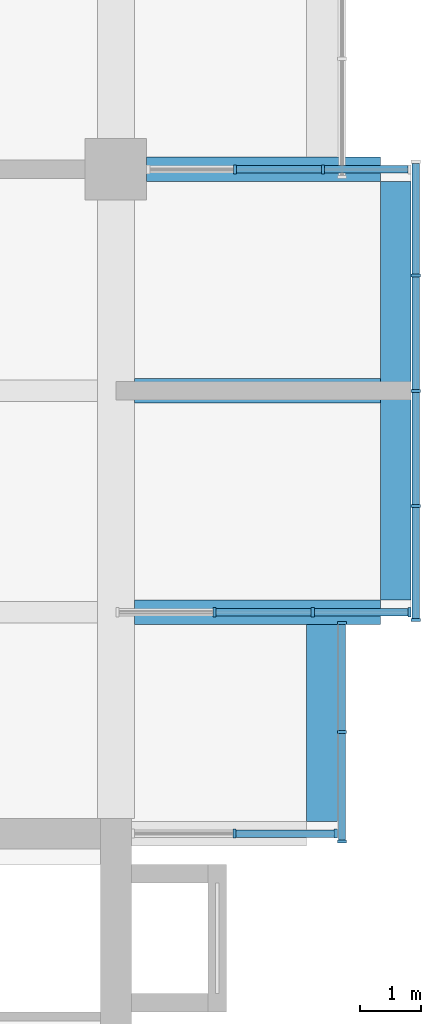
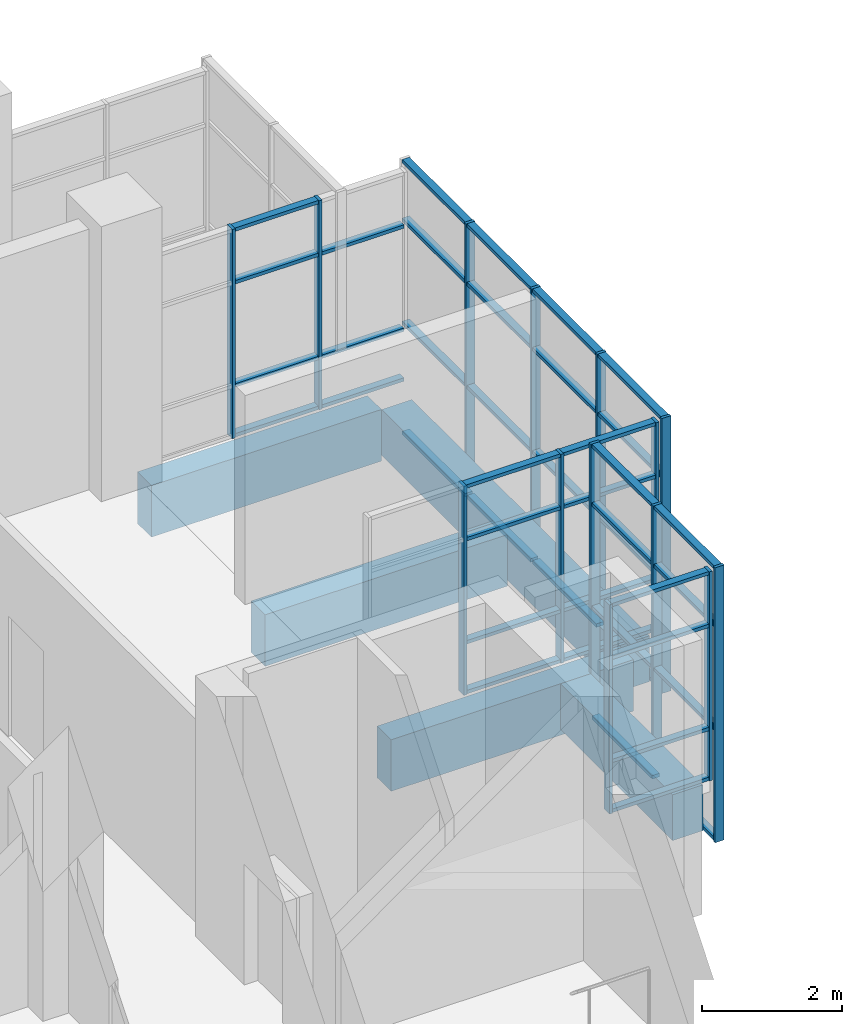
# One storey, part 13 of 30: 57 members, 6 beams, 5 elements without a shape of their own.
"""IFC4 building model written with IfcOpenShell, lengths in metres."""

from ifc_helpers import new_model, si_unit, direction, frame, origin, origin_2d, place, context, subcontext, project, spatial, rectangle, extrude, material, layer, layer_set, material_profile, profile_set, type_object, element, aggregate, save


model = new_model("IFC4")

# Units and contexts
model_context = context("Model", 3, precision=1e-05, world=origin(), true_north=direction((0.0, 1.0)))
body_context = subcontext(model_context, "Body", "Model", "MODEL_VIEW")
ifc_project = project(units=[si_unit("LENGTHUNIT", "METRE"), si_unit("AREAUNIT", "SQUARE_METRE"), si_unit("VOLUMEUNIT", "CUBIC_METRE"), si_unit("PLANEANGLEUNIT", "RADIAN"), si_unit("MASSUNIT", "GRAM", prefix="KILO")], contexts=[model_context])

# Site, building, storey
site_placement = place(None, origin())
site = spatial("IfcSite", under=ifc_project, at=site_placement, CompositionType="ELEMENT")
building_placement = place(site_placement, origin())
building = spatial("IfcBuilding", under=site, at=building_placement, Name="Basin Gate Institute", CompositionType="ELEMENT")
storey_placement = place(building_placement, frame((0.0, 0.0, 36.60009765625)))
storey = spatial("IfcBuildingStorey", under=building, at=storey_placement, Name="L07", CompositionType="ELEMENT", Elevation=36.60009765625)

# Beams
ifc_material_1 = material(Name="Concrete 50 MPa", Category="concrete")
ifc_material_profile_1 = material_profile(ifc_material_1, rectangle(XDim=0.39990234375, YDim=0.89990234375, at=origin_2d()), Name="Cantilever beam B3 400 x 900")
ifc_profile_set_1 = profile_set([ifc_material_profile_1], Name="Concrete 50 MPa")
beam_type_1 = type_object("IfcBeamType", Name="Cantilever beam B3 R120", PredefinedType="BEAM", material=ifc_profile_set_1)
for number, where, z_axis, x_axis, name in (
    (1, (123.10009765625, 49.5, -0.7001953125), (-1.0, 0.0, 0.0), (0.0, -1.0, 0.0), "BEAM/L07/E/CANT/05"),
    (2, (123.10009765625, 53.10009765625, -0.7001953125), (-1.0, 0.0, 0.0), (0.0, -1.0, 0.0), "BEAM/L07/E/CANT/06"),
):
    element("IfcBeam", number, at=place(storey_placement, frame(where, z_axis=z_axis, x_axis=x_axis)), inside=storey, type_object=beam_type_1, material=ifc_profile_set_1, Name=name, PredefinedType="BEAM", context=body_context, shape_type="SweptSolid", body=[
        extrude(rectangle(XDim=0.39990234375, YDim=0.89990234375, at=origin_2d()), origin(), (0.0, 0.0, 1.0), 4.0),
    ])
beam_1_placement = place(storey_placement, frame((123.10009765625, 56.699951171875, -0.7001953125), z_axis=(-1.0, 0.0, 0.0), x_axis=(0.0, -1.0, 0.0)))
element("IfcBeam", 3, at=beam_1_placement, inside=storey, type_object=beam_type_1, material=ifc_profile_set_1, Name="BEAM/L07/E/CANT/07", PredefinedType="BEAM", context=body_context, shape_type="SweptSolid", body=[
    extrude(rectangle(XDim=0.39990234375, YDim=0.89990234375, at=origin_2d()), origin(), (0.0, 0.0, 1.0), 3.800048828125),
])

# Curtain wall, members
ifc_material_2 = material(Name="Aluminium-framed glazing", Category="aluminium")
ifc_layer = layer(ifc_material_2, 0.14990234375)
ifc_layer_set = layer_set([ifc_layer], Name="Capsule front curtain wall CW1")
curtain_wall_type = type_object("IfcCurtainWallType", Name="Capsule front curtain wall CW1", PredefinedType="NOTDEFINED", material=ifc_layer_set)
curtain_wall_1_placement = place(storey_placement, origin())
curtain_wall_1 = element("IfcCurtainWall", 4, at=curtain_wall_1_placement, inside=storey, type_object=curtain_wall_type, material=ifc_layer_set, Name="Capsule front curtain wall E wing capsule end L07 line 4", PredefinedType="NOTDEFINED")
ifc_material_3 = material(Name="Aluminium", Category="aluminium")
ifc_material_profile_2 = material_profile(ifc_material_3, rectangle(XDim=0.14990234375, YDim=0.050048828125, at=origin_2d()), Name="Mullion MU1 150 x 50")
ifc_profile_set_2 = profile_set([ifc_material_profile_2], Name="Aluminium")
member_type_1 = type_object("IfcMemberType", Name="Mullion MU1", PredefinedType="MULLION", material=ifc_profile_set_2)
member_1_placement = place(storey_placement, frame((122.375, 45.89990234375, 0.0), z_axis=(0.0, 0.0, 1.0), x_axis=(0.0, -1.0, 0.0)))
member_1 = element("IfcMember", 5, at=member_1_placement, type_object=member_type_1, material=ifc_profile_set_2, Name="CW1 mullion 1", PredefinedType="MULLION", context=body_context, shape_type="SweptSolid", body=[
    extrude(rectangle(XDim=0.14990234375, YDim=0.050048828125, at=origin_2d()), origin(), (0.0, 0.0, 1.0), 3.64990234375),
])
member_2_placement = place(storey_placement, frame((120.72509765625, 45.89990234375, 0.0), z_axis=(0.0, 0.0, 1.0), x_axis=(0.0, -1.0, 0.0)))
member_2 = element("IfcMember", 6, at=member_2_placement, type_object=member_type_1, material=ifc_profile_set_2, Name="CW1 mullion 2", PredefinedType="MULLION", context=body_context, shape_type="SweptSolid", body=[
    extrude(rectangle(XDim=0.14990234375, YDim=0.050048828125, at=origin_2d()), origin(), (0.0, 0.0, 1.0), 3.64990234375),
])

curtain_wall_2_placement = place(storey_placement, origin())
curtain_wall_2 = element("IfcCurtainWall", 7, at=curtain_wall_2_placement, inside=storey, type_object=curtain_wall_type, material=ifc_layer_set, Name="Capsule front curtain wall E wing capsule end L07 line 5", PredefinedType="NOTDEFINED")
member_3_placement = place(storey_placement, frame((123.574951171875, 49.5, 0.0), z_axis=(0.0, 0.0, 1.0), x_axis=(0.0, -1.0, 0.0)))
member_3 = element("IfcMember", 8, at=member_3_placement, type_object=member_type_1, material=ifc_profile_set_2, Name="CW1 mullion 1", PredefinedType="MULLION", context=body_context, shape_type="SweptSolid", body=[
    extrude(rectangle(XDim=0.14990234375, YDim=0.050048828125, at=origin_2d()), origin(), (0.0, 0.0, 1.0), 3.64990234375),
])
member_4_placement = place(storey_placement, frame((122.0, 49.5, 0.0), z_axis=(0.0, 0.0, 1.0), x_axis=(0.0, -1.0, 0.0)))
member_4 = element("IfcMember", 9, at=member_4_placement, type_object=member_type_1, material=ifc_profile_set_2, Name="CW1 mullion 2", PredefinedType="MULLION", context=body_context, shape_type="SweptSolid", body=[
    extrude(rectangle(XDim=0.14990234375, YDim=0.050048828125, at=origin_2d()), origin(), (0.0, 0.0, 1.0), 3.64990234375),
])
member_5_placement = place(storey_placement, frame((120.39990234375, 49.5, 0.0), z_axis=(0.0, 0.0, 1.0), x_axis=(0.0, -1.0, 0.0)))
member_5 = element("IfcMember", 10, at=member_5_placement, type_object=member_type_1, material=ifc_profile_set_2, Name="CW1 mullion 3", PredefinedType="MULLION", context=body_context, shape_type="SweptSolid", body=[
    extrude(rectangle(XDim=0.14990234375, YDim=0.050048828125, at=origin_2d()), origin(), (0.0, 0.0, 1.0), 3.64990234375),
])

curtain_wall_3_placement = place(storey_placement, origin())
curtain_wall_3 = element("IfcCurtainWall", 11, at=curtain_wall_3_placement, inside=storey, type_object=curtain_wall_type, material=ifc_layer_set, Name="Capsule front curtain wall E wing capsule end L07 line 7", PredefinedType="NOTDEFINED")
member_6_placement = place(storey_placement, frame((122.166748046875, 56.699951171875, 0.0), z_axis=(0.0, 0.0, 1.0), x_axis=(0.0, -1.0, 0.0)))
member_6 = element("IfcMember", 12, at=member_6_placement, type_object=member_type_1, material=ifc_profile_set_2, Name="CW1 mullion 2", PredefinedType="MULLION", context=body_context, shape_type="SweptSolid", body=[
    extrude(rectangle(XDim=0.14990234375, YDim=0.050048828125, at=origin_2d()), origin(), (0.0, 0.0, 1.0), 3.64990234375),
])
member_7_placement = place(storey_placement, frame((120.7333984375, 56.699951171875, 0.0), z_axis=(0.0, 0.0, 1.0), x_axis=(0.0, -1.0, 0.0)))
member_7 = element("IfcMember", 13, at=member_7_placement, type_object=member_type_1, material=ifc_profile_set_2, Name="CW1 mullion 3", PredefinedType="MULLION", context=body_context, shape_type="SweptSolid", body=[
    extrude(rectangle(XDim=0.14990234375, YDim=0.050048828125, at=origin_2d()), origin(), (0.0, 0.0, 1.0), 3.64990234375),
])

curtain_wall_4_placement = place(storey_placement, origin())
curtain_wall_4 = element("IfcCurtainWall", 14, at=curtain_wall_4_placement, inside=storey, type_object=curtain_wall_type, material=ifc_layer_set, Name="Capsule front curtain wall E wing capsule 1 L07 front 1", PredefinedType="NOTDEFINED")
member_8_placement = place(storey_placement, frame((122.47509765625, 45.77490234375, -1.050048828125), z_axis=(0.0, 0.0, 1.0), x_axis=(-1.0, 0.0, 0.0)))
member_8 = element("IfcMember", 15, at=member_8_placement, type_object=member_type_1, material=ifc_profile_set_2, Name="CW1 mullion 1", PredefinedType="MULLION", context=body_context, shape_type="SweptSolid", body=[
    extrude(rectangle(XDim=0.14990234375, YDim=0.050048828125, at=origin_2d()), origin(), (0.0, 0.0, 1.0), 4.800048828125),
])
member_9_placement = place(storey_placement, frame((122.47509765625, 47.550048828125, -1.050048828125), z_axis=(0.0, 0.0, 1.0), x_axis=(-1.0, 0.0, 0.0)))
member_9 = element("IfcMember", 16, at=member_9_placement, type_object=member_type_1, material=ifc_profile_set_2, Name="CW1 mullion 2", PredefinedType="MULLION", context=body_context, shape_type="SweptSolid", body=[
    extrude(rectangle(XDim=0.14990234375, YDim=0.050048828125, at=origin_2d()), origin(), (0.0, 0.0, 1.0), 4.800048828125),
])
member_10_placement = place(storey_placement, frame((122.47509765625, 49.324951171875, -1.050048828125), z_axis=(0.0, 0.0, 1.0), x_axis=(-1.0, 0.0, 0.0)))
member_10 = element("IfcMember", 17, at=member_10_placement, type_object=member_type_1, material=ifc_profile_set_2, Name="CW1 mullion 3", PredefinedType="MULLION", context=body_context, shape_type="SweptSolid", body=[
    extrude(rectangle(XDim=0.14990234375, YDim=0.050048828125, at=origin_2d()), origin(), (0.0, 0.0, 1.0), 4.800048828125),
])

curtain_wall_5_placement = place(storey_placement, origin())
curtain_wall_5 = element("IfcCurtainWall", 18, at=curtain_wall_5_placement, inside=storey, type_object=curtain_wall_type, material=ifc_layer_set, Name="Capsule front curtain wall E wing capsule 1 L07 front 2", PredefinedType="NOTDEFINED")
member_11_placement = place(storey_placement, frame((123.675048828125, 49.375, -1.050048828125), z_axis=(0.0, 0.0, 1.0), x_axis=(-1.0, 0.0, 0.0)))
member_11 = element("IfcMember", 19, at=member_11_placement, type_object=member_type_1, material=ifc_profile_set_2, Name="CW1 mullion 1", PredefinedType="MULLION", context=body_context, shape_type="SweptSolid", body=[
    extrude(rectangle(XDim=0.14990234375, YDim=0.050048828125, at=origin_2d()), origin(), (0.0, 0.0, 1.0), 4.800048828125),
])
member_12_placement = place(storey_placement, frame((123.675048828125, 51.22509765625, -1.050048828125), z_axis=(0.0, 0.0, 1.0), x_axis=(-1.0, 0.0, 0.0)))
member_12 = element("IfcMember", 20, at=member_12_placement, type_object=member_type_1, material=ifc_profile_set_2, Name="CW1 mullion 2", PredefinedType="MULLION", context=body_context, shape_type="SweptSolid", body=[
    extrude(rectangle(XDim=0.14990234375, YDim=0.050048828125, at=origin_2d()), origin(), (0.0, 0.0, 1.0), 4.800048828125),
])
member_13_placement = place(storey_placement, frame((123.675048828125, 53.10009765625, -1.050048828125), z_axis=(0.0, 0.0, 1.0), x_axis=(-1.0, 0.0, 0.0)))
member_13 = element("IfcMember", 21, at=member_13_placement, type_object=member_type_1, material=ifc_profile_set_2, Name="CW1 mullion 3", PredefinedType="MULLION", context=body_context, shape_type="SweptSolid", body=[
    extrude(rectangle(XDim=0.14990234375, YDim=0.050048828125, at=origin_2d()), origin(), (0.0, 0.0, 1.0), 4.800048828125),
])
member_14_placement = place(storey_placement, frame((123.675048828125, 54.97509765625, -1.050048828125), z_axis=(0.0, 0.0, 1.0), x_axis=(-1.0, 0.0, 0.0)))
member_14 = element("IfcMember", 22, at=member_14_placement, type_object=member_type_1, material=ifc_profile_set_2, Name="CW1 mullion 4", PredefinedType="MULLION", context=body_context, shape_type="SweptSolid", body=[
    extrude(rectangle(XDim=0.14990234375, YDim=0.050048828125, at=origin_2d()), origin(), (0.0, 0.0, 1.0), 4.800048828125),
])

# Beams
ifc_material_4 = material(Name="Concrete 50 MPa", Category="concrete")
ifc_material_profile_3 = material_profile(ifc_material_4, rectangle(XDim=0.5, YDim=0.800048828125, at=origin_2d()), Name="Tip beam TB1 500 x 800")
ifc_profile_set_3 = profile_set([ifc_material_profile_3], Name="Concrete 50 MPa")
beam_type_2 = type_object("IfcBeamType", Name="Tip beam TB1 R120", PredefinedType="SPANDREL", material=ifc_profile_set_3)
beam_2_placement = place(storey_placement, frame((122.14990234375, 46.10009765625, -0.650146484375), z_axis=(0.0, 1.0, 0.0), x_axis=(-1.0, 0.0, 0.0)))
element("IfcBeam", 23, at=beam_2_placement, inside=storey, type_object=beam_type_2, material=ifc_profile_set_3, Name="BEAM/L07/E/TIP/1", PredefinedType="SPANDREL", context=body_context, shape_type="SweptSolid", body=[
    extrude(rectangle(XDim=0.5, YDim=0.800048828125, at=origin_2d()), origin(), (0.0, 0.0, 1.0), 3.199951171875),
])
beam_3_placement = place(storey_placement, frame((123.35009765625, 49.699951171875, -0.650146484375), z_axis=(0.0, 1.0, 0.0), x_axis=(-1.0, 0.0, 0.0)))
element("IfcBeam", 24, at=beam_3_placement, inside=storey, type_object=beam_type_2, material=ifc_profile_set_3, Name="BEAM/L07/E/TIP/2", PredefinedType="SPANDREL", context=body_context, shape_type="SweptSolid", body=[
    extrude(rectangle(XDim=0.5, YDim=0.800048828125, at=origin_2d()), origin(), (0.0, 0.0, 1.0), 3.400146484375),
])
beam_4_placement = place(storey_placement, frame((123.35009765625, 53.10009765625, -0.650146484375), z_axis=(0.0, 1.0, 0.0), x_axis=(-1.0, 0.0, 0.0)))
element("IfcBeam", 25, at=beam_4_placement, inside=storey, type_object=beam_type_2, material=ifc_profile_set_3, Name="BEAM/L07/E/TIP/3", PredefinedType="SPANDREL", context=body_context, shape_type="SweptSolid", body=[
    extrude(rectangle(XDim=0.5, YDim=0.800048828125, at=origin_2d()), origin(), (0.0, 0.0, 1.0), 3.39990234375),
])

# Member
ifc_material_5 = material(Name="Aluminium", Category="aluminium")
ifc_material_profile_4 = material_profile(ifc_material_5, rectangle(XDim=0.1201171875, YDim=0.06005859375, at=origin_2d()), Name="Transom TR1 120 x 60")
ifc_profile_set_4 = profile_set([ifc_material_profile_4], Name="Aluminium")
member_type_2 = type_object("IfcMemberType", Name="Transom TR1", PredefinedType="USERDEFINED", material=ifc_profile_set_4)
member_15_placement = place(storey_placement, frame((122.35009765625, 45.89990234375, 0.02978515625), z_axis=(-1.0, 0.0, 0.0), x_axis=(0.0, -1.0, 0.0)))
member_15 = element("IfcMember", 26, at=member_15_placement, type_object=member_type_2, material=ifc_profile_set_4, Name="CW1 transom 1.1", ObjectType="TRANSOM", PredefinedType="USERDEFINED", context=body_context, shape_type="SweptSolid", body=[
    extrude(rectangle(XDim=0.1201171875, YDim=0.06005859375, at=origin_2d()), origin(), (0.0, 0.0, 1.0), 1.60009765625),
])

member_16_placement = place(storey_placement, frame((122.35009765625, 45.89990234375, 0.89990234375), z_axis=(-1.0, 0.0, 0.0), x_axis=(0.0, -1.0, 0.0)))
member_16 = element("IfcMember", 27, at=member_16_placement, type_object=member_type_2, material=ifc_profile_set_4, Name="CW1 transom 1.2", ObjectType="TRANSOM", PredefinedType="USERDEFINED", context=body_context, shape_type="SweptSolid", body=[
    extrude(rectangle(XDim=0.1201171875, YDim=0.06005859375, at=origin_2d()), origin(), (0.0, 0.0, 1.0), 1.60009765625),
])

member_17_placement = place(storey_placement, frame((122.35009765625, 45.89990234375, 2.699951171875), z_axis=(-1.0, 0.0, 0.0), x_axis=(0.0, -1.0, 0.0)))
member_17 = element("IfcMember", 28, at=member_17_placement, type_object=member_type_2, material=ifc_profile_set_4, Name="CW1 transom 1.3", ObjectType="TRANSOM", PredefinedType="USERDEFINED", context=body_context, shape_type="SweptSolid", body=[
    extrude(rectangle(XDim=0.1201171875, YDim=0.06005859375, at=origin_2d()), origin(), (0.0, 0.0, 1.0), 1.60009765625),
])

member_18_placement = place(storey_placement, frame((122.35009765625, 45.89990234375, 3.619873046875), z_axis=(-1.0, 0.0, 0.0), x_axis=(0.0, -1.0, 0.0)))
member_18 = element("IfcMember", 29, at=member_18_placement, type_object=member_type_2, material=ifc_profile_set_4, Name="CW1 transom 1.4", ObjectType="TRANSOM", PredefinedType="USERDEFINED", context=body_context, shape_type="SweptSolid", body=[
    extrude(rectangle(XDim=0.1201171875, YDim=0.06005859375, at=origin_2d()), origin(), (0.0, 0.0, 1.0), 1.60009765625),
])

aggregate(curtain_wall_1, [member_1, member_2, member_15, member_16, member_17, member_18])

member_19_placement = place(storey_placement, frame((123.550048828125, 49.5, 0.02978515625), z_axis=(-1.0, 0.0, 0.0), x_axis=(0.0, -1.0, 0.0)))
member_19 = element("IfcMember", 30, at=member_19_placement, type_object=member_type_2, material=ifc_profile_set_4, Name="CW1 transom 1.1", ObjectType="TRANSOM", PredefinedType="USERDEFINED", context=body_context, shape_type="SweptSolid", body=[
    extrude(rectangle(XDim=0.1201171875, YDim=0.06005859375, at=origin_2d()), origin(), (0.0, 0.0, 1.0), 1.525146484375),
])

member_20_placement = place(storey_placement, frame((123.550048828125, 49.5, 0.89990234375), z_axis=(-1.0, 0.0, 0.0), x_axis=(0.0, -1.0, 0.0)))
member_20 = element("IfcMember", 31, at=member_20_placement, type_object=member_type_2, material=ifc_profile_set_4, Name="CW1 transom 1.2", ObjectType="TRANSOM", PredefinedType="USERDEFINED", context=body_context, shape_type="SweptSolid", body=[
    extrude(rectangle(XDim=0.1201171875, YDim=0.06005859375, at=origin_2d()), origin(), (0.0, 0.0, 1.0), 1.525146484375),
])

member_21_placement = place(storey_placement, frame((123.550048828125, 49.5, 2.699951171875), z_axis=(-1.0, 0.0, 0.0), x_axis=(0.0, -1.0, 0.0)))
member_21 = element("IfcMember", 32, at=member_21_placement, type_object=member_type_2, material=ifc_profile_set_4, Name="CW1 transom 1.3", ObjectType="TRANSOM", PredefinedType="USERDEFINED", context=body_context, shape_type="SweptSolid", body=[
    extrude(rectangle(XDim=0.1201171875, YDim=0.06005859375, at=origin_2d()), origin(), (0.0, 0.0, 1.0), 1.525146484375),
])

member_22_placement = place(storey_placement, frame((123.550048828125, 49.5, 3.619873046875), z_axis=(-1.0, 0.0, 0.0), x_axis=(0.0, -1.0, 0.0)))
member_22 = element("IfcMember", 33, at=member_22_placement, type_object=member_type_2, material=ifc_profile_set_4, Name="CW1 transom 1.4", ObjectType="TRANSOM", PredefinedType="USERDEFINED", context=body_context, shape_type="SweptSolid", body=[
    extrude(rectangle(XDim=0.1201171875, YDim=0.06005859375, at=origin_2d()), origin(), (0.0, 0.0, 1.0), 1.525146484375),
])

member_23_placement = place(storey_placement, frame((121.97509765625, 49.5, 0.02978515625), z_axis=(-1.0, 0.0, 0.0), x_axis=(0.0, -1.0, 0.0)))
member_23 = element("IfcMember", 34, at=member_23_placement, type_object=member_type_2, material=ifc_profile_set_4, Name="CW1 transom 2.1", ObjectType="TRANSOM", PredefinedType="USERDEFINED", context=body_context, shape_type="SweptSolid", body=[
    extrude(rectangle(XDim=0.1201171875, YDim=0.06005859375, at=origin_2d()), origin(), (0.0, 0.0, 1.0), 1.550048828125),
])

member_24_placement = place(storey_placement, frame((121.97509765625, 49.5, 0.89990234375), z_axis=(-1.0, 0.0, 0.0), x_axis=(0.0, -1.0, 0.0)))
member_24 = element("IfcMember", 35, at=member_24_placement, type_object=member_type_2, material=ifc_profile_set_4, Name="CW1 transom 2.2", ObjectType="TRANSOM", PredefinedType="USERDEFINED", context=body_context, shape_type="SweptSolid", body=[
    extrude(rectangle(XDim=0.1201171875, YDim=0.06005859375, at=origin_2d()), origin(), (0.0, 0.0, 1.0), 1.550048828125),
])

member_25_placement = place(storey_placement, frame((121.97509765625, 49.5, 2.699951171875), z_axis=(-1.0, 0.0, 0.0), x_axis=(0.0, -1.0, 0.0)))
member_25 = element("IfcMember", 36, at=member_25_placement, type_object=member_type_2, material=ifc_profile_set_4, Name="CW1 transom 2.3", ObjectType="TRANSOM", PredefinedType="USERDEFINED", context=body_context, shape_type="SweptSolid", body=[
    extrude(rectangle(XDim=0.1201171875, YDim=0.06005859375, at=origin_2d()), origin(), (0.0, 0.0, 1.0), 1.550048828125),
])

member_26_placement = place(storey_placement, frame((121.97509765625, 49.5, 3.619873046875), z_axis=(-1.0, 0.0, 0.0), x_axis=(0.0, -1.0, 0.0)))
member_26 = element("IfcMember", 37, at=member_26_placement, type_object=member_type_2, material=ifc_profile_set_4, Name="CW1 transom 2.4", ObjectType="TRANSOM", PredefinedType="USERDEFINED", context=body_context, shape_type="SweptSolid", body=[
    extrude(rectangle(XDim=0.1201171875, YDim=0.06005859375, at=origin_2d()), origin(), (0.0, 0.0, 1.0), 1.550048828125),
])

aggregate(curtain_wall_2, [member_3, member_4, member_5, member_19, member_20, member_21, member_22, member_23, member_24, member_25, member_26])

member_27_placement = place(storey_placement, frame((123.550048828125, 56.699951171875, 0.02978515625), z_axis=(-1.0, 0.0, 0.0), x_axis=(0.0, -1.0, 0.0)))
member_27 = element("IfcMember", 38, at=member_27_placement, type_object=member_type_2, material=ifc_profile_set_4, Name="CW1 transom 1.1", ObjectType="TRANSOM", PredefinedType="USERDEFINED", context=body_context, shape_type="SweptSolid", body=[
    extrude(rectangle(XDim=0.1201171875, YDim=0.06005859375, at=origin_2d()), origin(), (0.0, 0.0, 1.0), 1.3583984375),
])

member_28_placement = place(storey_placement, frame((123.550048828125, 56.699951171875, 0.89990234375), z_axis=(-1.0, 0.0, 0.0), x_axis=(0.0, -1.0, 0.0)))
member_28 = element("IfcMember", 39, at=member_28_placement, type_object=member_type_2, material=ifc_profile_set_4, Name="CW1 transom 1.2", ObjectType="TRANSOM", PredefinedType="USERDEFINED", context=body_context, shape_type="SweptSolid", body=[
    extrude(rectangle(XDim=0.1201171875, YDim=0.06005859375, at=origin_2d()), origin(), (0.0, 0.0, 1.0), 1.3583984375),
])

member_29_placement = place(storey_placement, frame((123.550048828125, 56.699951171875, 2.699951171875), z_axis=(-1.0, 0.0, 0.0), x_axis=(0.0, -1.0, 0.0)))
member_29 = element("IfcMember", 40, at=member_29_placement, type_object=member_type_2, material=ifc_profile_set_4, Name="CW1 transom 1.3", ObjectType="TRANSOM", PredefinedType="USERDEFINED", context=body_context, shape_type="SweptSolid", body=[
    extrude(rectangle(XDim=0.1201171875, YDim=0.06005859375, at=origin_2d()), origin(), (0.0, 0.0, 1.0), 1.3583984375),
])

member_30_placement = place(storey_placement, frame((122.1416015625, 56.699951171875, 0.02978515625), z_axis=(-1.0, 0.0, 0.0), x_axis=(0.0, -1.0, 0.0)))
member_30 = element("IfcMember", 41, at=member_30_placement, type_object=member_type_2, material=ifc_profile_set_4, Name="CW1 transom 2.1", ObjectType="TRANSOM", PredefinedType="USERDEFINED", context=body_context, shape_type="SweptSolid", body=[
    extrude(rectangle(XDim=0.1201171875, YDim=0.06005859375, at=origin_2d()), origin(), (0.0, 0.0, 1.0), 1.38330078125),
])

member_31_placement = place(storey_placement, frame((122.1416015625, 56.699951171875, 0.89990234375), z_axis=(-1.0, 0.0, 0.0), x_axis=(0.0, -1.0, 0.0)))
member_31 = element("IfcMember", 42, at=member_31_placement, type_object=member_type_2, material=ifc_profile_set_4, Name="CW1 transom 2.2", ObjectType="TRANSOM", PredefinedType="USERDEFINED", context=body_context, shape_type="SweptSolid", body=[
    extrude(rectangle(XDim=0.1201171875, YDim=0.06005859375, at=origin_2d()), origin(), (0.0, 0.0, 1.0), 1.38330078125),
])

member_32_placement = place(storey_placement, frame((122.1416015625, 56.699951171875, 2.699951171875), z_axis=(-1.0, 0.0, 0.0), x_axis=(0.0, -1.0, 0.0)))
member_32 = element("IfcMember", 43, at=member_32_placement, type_object=member_type_2, material=ifc_profile_set_4, Name="CW1 transom 2.3", ObjectType="TRANSOM", PredefinedType="USERDEFINED", context=body_context, shape_type="SweptSolid", body=[
    extrude(rectangle(XDim=0.1201171875, YDim=0.06005859375, at=origin_2d()), origin(), (0.0, 0.0, 1.0), 1.38330078125),
])

member_33_placement = place(storey_placement, frame((122.1416015625, 56.699951171875, 3.619873046875), z_axis=(-1.0, 0.0, 0.0), x_axis=(0.0, -1.0, 0.0)))
member_33 = element("IfcMember", 44, at=member_33_placement, type_object=member_type_2, material=ifc_profile_set_4, Name="CW1 transom 2.4", ObjectType="TRANSOM", PredefinedType="USERDEFINED", context=body_context, shape_type="SweptSolid", body=[
    extrude(rectangle(XDim=0.1201171875, YDim=0.06005859375, at=origin_2d()), origin(), (0.0, 0.0, 1.0), 1.38330078125),
])

aggregate(curtain_wall_3, [member_6, member_7, member_27, member_28, member_29, member_30, member_31, member_32, member_33])

member_34_placement = place(storey_placement, frame((122.47509765625, 45.800048828125, -1.02001953125), z_axis=(0.0, 1.0, 0.0), x_axis=(-1.0, 0.0, 0.0)))
member_34 = element("IfcMember", 45, at=member_34_placement, type_object=member_type_2, material=ifc_profile_set_4, Name="CW1 transom 1.1", ObjectType="TRANSOM", PredefinedType="USERDEFINED", context=body_context, shape_type="SweptSolid", body=[
    extrude(rectangle(XDim=0.1201171875, YDim=0.06005859375, at=origin_2d()), origin(), (0.0, 0.0, 1.0), 1.724853515625),
])

member_35_placement = place(storey_placement, frame((122.47509765625, 45.800048828125, 0.89990234375), z_axis=(0.0, 1.0, 0.0), x_axis=(-1.0, 0.0, 0.0)))
member_35 = element("IfcMember", 46, at=member_35_placement, type_object=member_type_2, material=ifc_profile_set_4, Name="CW1 transom 1.2", ObjectType="TRANSOM", PredefinedType="USERDEFINED", context=body_context, shape_type="SweptSolid", body=[
    extrude(rectangle(XDim=0.1201171875, YDim=0.06005859375, at=origin_2d()), origin(), (0.0, 0.0, 1.0), 1.724853515625),
])

member_36_placement = place(storey_placement, frame((122.47509765625, 45.800048828125, 2.699951171875), z_axis=(0.0, 1.0, 0.0), x_axis=(-1.0, 0.0, 0.0)))
member_36 = element("IfcMember", 47, at=member_36_placement, type_object=member_type_2, material=ifc_profile_set_4, Name="CW1 transom 1.3", ObjectType="TRANSOM", PredefinedType="USERDEFINED", context=body_context, shape_type="SweptSolid", body=[
    extrude(rectangle(XDim=0.1201171875, YDim=0.06005859375, at=origin_2d()), origin(), (0.0, 0.0, 1.0), 1.724853515625),
])

member_37_placement = place(storey_placement, frame((122.47509765625, 45.800048828125, 3.719970703125), z_axis=(0.0, 1.0, 0.0), x_axis=(-1.0, 0.0, 0.0)))
member_37 = element("IfcMember", 48, at=member_37_placement, type_object=member_type_2, material=ifc_profile_set_4, Name="CW1 transom 1.4", ObjectType="TRANSOM", PredefinedType="USERDEFINED", context=body_context, shape_type="SweptSolid", body=[
    extrude(rectangle(XDim=0.1201171875, YDim=0.06005859375, at=origin_2d()), origin(), (0.0, 0.0, 1.0), 1.724853515625),
])

member_38_placement = place(storey_placement, frame((122.47509765625, 47.574951171875, -1.02001953125), z_axis=(0.0, 1.0, 0.0), x_axis=(-1.0, 0.0, 0.0)))
member_38 = element("IfcMember", 49, at=member_38_placement, type_object=member_type_2, material=ifc_profile_set_4, Name="CW1 transom 2.1", ObjectType="TRANSOM", PredefinedType="USERDEFINED", context=body_context, shape_type="SweptSolid", body=[
    extrude(rectangle(XDim=0.1201171875, YDim=0.06005859375, at=origin_2d()), origin(), (0.0, 0.0, 1.0), 1.72509765625),
])

member_39_placement = place(storey_placement, frame((122.47509765625, 47.574951171875, 0.89990234375), z_axis=(0.0, 1.0, 0.0), x_axis=(-1.0, 0.0, 0.0)))
member_39 = element("IfcMember", 50, at=member_39_placement, type_object=member_type_2, material=ifc_profile_set_4, Name="CW1 transom 2.2", ObjectType="TRANSOM", PredefinedType="USERDEFINED", context=body_context, shape_type="SweptSolid", body=[
    extrude(rectangle(XDim=0.1201171875, YDim=0.06005859375, at=origin_2d()), origin(), (0.0, 0.0, 1.0), 1.72509765625),
])

member_40_placement = place(storey_placement, frame((122.47509765625, 47.574951171875, 2.699951171875), z_axis=(0.0, 1.0, 0.0), x_axis=(-1.0, 0.0, 0.0)))
member_40 = element("IfcMember", 51, at=member_40_placement, type_object=member_type_2, material=ifc_profile_set_4, Name="CW1 transom 2.3", ObjectType="TRANSOM", PredefinedType="USERDEFINED", context=body_context, shape_type="SweptSolid", body=[
    extrude(rectangle(XDim=0.1201171875, YDim=0.06005859375, at=origin_2d()), origin(), (0.0, 0.0, 1.0), 1.72509765625),
])

member_41_placement = place(storey_placement, frame((122.47509765625, 47.574951171875, 3.719970703125), z_axis=(0.0, 1.0, 0.0), x_axis=(-1.0, 0.0, 0.0)))
member_41 = element("IfcMember", 52, at=member_41_placement, type_object=member_type_2, material=ifc_profile_set_4, Name="CW1 transom 2.4", ObjectType="TRANSOM", PredefinedType="USERDEFINED", context=body_context, shape_type="SweptSolid", body=[
    extrude(rectangle(XDim=0.1201171875, YDim=0.06005859375, at=origin_2d()), origin(), (0.0, 0.0, 1.0), 1.72509765625),
])

aggregate(curtain_wall_4, [member_8, member_9, member_10, member_34, member_35, member_36, member_37, member_38, member_39, member_40, member_41])

member_42_placement = place(storey_placement, frame((123.675048828125, 49.39990234375, -1.02001953125), z_axis=(0.0, 1.0, 0.0), x_axis=(-1.0, 0.0, 0.0)))
member_42 = element("IfcMember", 53, at=member_42_placement, type_object=member_type_2, material=ifc_profile_set_4, Name="CW1 transom 1.1", ObjectType="TRANSOM", PredefinedType="USERDEFINED", context=body_context, shape_type="SweptSolid", body=[
    extrude(rectangle(XDim=0.1201171875, YDim=0.06005859375, at=origin_2d()), origin(), (0.0, 0.0, 1.0), 1.800048828125),
])

member_43_placement = place(storey_placement, frame((123.675048828125, 49.39990234375, 0.89990234375), z_axis=(0.0, 1.0, 0.0), x_axis=(-1.0, 0.0, 0.0)))
member_43 = element("IfcMember", 54, at=member_43_placement, type_object=member_type_2, material=ifc_profile_set_4, Name="CW1 transom 1.2", ObjectType="TRANSOM", PredefinedType="USERDEFINED", context=body_context, shape_type="SweptSolid", body=[
    extrude(rectangle(XDim=0.1201171875, YDim=0.06005859375, at=origin_2d()), origin(), (0.0, 0.0, 1.0), 1.800048828125),
])

member_44_placement = place(storey_placement, frame((123.675048828125, 49.39990234375, 2.699951171875), z_axis=(0.0, 1.0, 0.0), x_axis=(-1.0, 0.0, 0.0)))
member_44 = element("IfcMember", 55, at=member_44_placement, type_object=member_type_2, material=ifc_profile_set_4, Name="CW1 transom 1.3", ObjectType="TRANSOM", PredefinedType="USERDEFINED", context=body_context, shape_type="SweptSolid", body=[
    extrude(rectangle(XDim=0.1201171875, YDim=0.06005859375, at=origin_2d()), origin(), (0.0, 0.0, 1.0), 1.800048828125),
])

member_45_placement = place(storey_placement, frame((123.675048828125, 49.39990234375, 3.719970703125), z_axis=(0.0, 1.0, 0.0), x_axis=(-1.0, 0.0, 0.0)))
member_45 = element("IfcMember", 56, at=member_45_placement, type_object=member_type_2, material=ifc_profile_set_4, Name="CW1 transom 1.4", ObjectType="TRANSOM", PredefinedType="USERDEFINED", context=body_context, shape_type="SweptSolid", body=[
    extrude(rectangle(XDim=0.1201171875, YDim=0.06005859375, at=origin_2d()), origin(), (0.0, 0.0, 1.0), 1.800048828125),
])

member_46_placement = place(storey_placement, frame((123.675048828125, 51.25, -1.02001953125), z_axis=(0.0, 1.0, 0.0), x_axis=(-1.0, 0.0, 0.0)))
member_46 = element("IfcMember", 57, at=member_46_placement, type_object=member_type_2, material=ifc_profile_set_4, Name="CW1 transom 2.1", ObjectType="TRANSOM", PredefinedType="USERDEFINED", context=body_context, shape_type="SweptSolid", body=[
    extrude(rectangle(XDim=0.1201171875, YDim=0.06005859375, at=origin_2d()), origin(), (0.0, 0.0, 1.0), 1.824951171875),
])

member_47_placement = place(storey_placement, frame((123.675048828125, 51.25, 0.89990234375), z_axis=(0.0, 1.0, 0.0), x_axis=(-1.0, 0.0, 0.0)))
member_47 = element("IfcMember", 58, at=member_47_placement, type_object=member_type_2, material=ifc_profile_set_4, Name="CW1 transom 2.2", ObjectType="TRANSOM", PredefinedType="USERDEFINED", context=body_context, shape_type="SweptSolid", body=[
    extrude(rectangle(XDim=0.1201171875, YDim=0.06005859375, at=origin_2d()), origin(), (0.0, 0.0, 1.0), 1.824951171875),
])

member_48_placement = place(storey_placement, frame((123.675048828125, 51.25, 2.699951171875), z_axis=(0.0, 1.0, 0.0), x_axis=(-1.0, 0.0, 0.0)))
member_48 = element("IfcMember", 59, at=member_48_placement, type_object=member_type_2, material=ifc_profile_set_4, Name="CW1 transom 2.3", ObjectType="TRANSOM", PredefinedType="USERDEFINED", context=body_context, shape_type="SweptSolid", body=[
    extrude(rectangle(XDim=0.1201171875, YDim=0.06005859375, at=origin_2d()), origin(), (0.0, 0.0, 1.0), 1.824951171875),
])

member_49_placement = place(storey_placement, frame((123.675048828125, 51.25, 3.719970703125), z_axis=(0.0, 1.0, 0.0), x_axis=(-1.0, 0.0, 0.0)))
member_49 = element("IfcMember", 60, at=member_49_placement, type_object=member_type_2, material=ifc_profile_set_4, Name="CW1 transom 2.4", ObjectType="TRANSOM", PredefinedType="USERDEFINED", context=body_context, shape_type="SweptSolid", body=[
    extrude(rectangle(XDim=0.1201171875, YDim=0.06005859375, at=origin_2d()), origin(), (0.0, 0.0, 1.0), 1.824951171875),
])

member_50_placement = place(storey_placement, frame((123.675048828125, 53.125, -1.02001953125), z_axis=(0.0, 1.0, 0.0), x_axis=(-1.0, 0.0, 0.0)))
member_50 = element("IfcMember", 61, at=member_50_placement, type_object=member_type_2, material=ifc_profile_set_4, Name="CW1 transom 3.1", ObjectType="TRANSOM", PredefinedType="USERDEFINED", context=body_context, shape_type="SweptSolid", body=[
    extrude(rectangle(XDim=0.1201171875, YDim=0.06005859375, at=origin_2d()), origin(), (0.0, 0.0, 1.0), 1.824951171875),
])

member_51_placement = place(storey_placement, frame((123.675048828125, 53.125, 0.89990234375), z_axis=(0.0, 1.0, 0.0), x_axis=(-1.0, 0.0, 0.0)))
member_51 = element("IfcMember", 62, at=member_51_placement, type_object=member_type_2, material=ifc_profile_set_4, Name="CW1 transom 3.2", ObjectType="TRANSOM", PredefinedType="USERDEFINED", context=body_context, shape_type="SweptSolid", body=[
    extrude(rectangle(XDim=0.1201171875, YDim=0.06005859375, at=origin_2d()), origin(), (0.0, 0.0, 1.0), 1.824951171875),
])

member_52_placement = place(storey_placement, frame((123.675048828125, 53.125, 2.699951171875), z_axis=(0.0, 1.0, 0.0), x_axis=(-1.0, 0.0, 0.0)))
member_52 = element("IfcMember", 63, at=member_52_placement, type_object=member_type_2, material=ifc_profile_set_4, Name="CW1 transom 3.3", ObjectType="TRANSOM", PredefinedType="USERDEFINED", context=body_context, shape_type="SweptSolid", body=[
    extrude(rectangle(XDim=0.1201171875, YDim=0.06005859375, at=origin_2d()), origin(), (0.0, 0.0, 1.0), 1.824951171875),
])

member_53_placement = place(storey_placement, frame((123.675048828125, 53.125, 3.719970703125), z_axis=(0.0, 1.0, 0.0), x_axis=(-1.0, 0.0, 0.0)))
member_53 = element("IfcMember", 64, at=member_53_placement, type_object=member_type_2, material=ifc_profile_set_4, Name="CW1 transom 3.4", ObjectType="TRANSOM", PredefinedType="USERDEFINED", context=body_context, shape_type="SweptSolid", body=[
    extrude(rectangle(XDim=0.1201171875, YDim=0.06005859375, at=origin_2d()), origin(), (0.0, 0.0, 1.0), 1.824951171875),
])

member_54_placement = place(storey_placement, frame((123.675048828125, 55.0, -1.02001953125), z_axis=(0.0, 1.0, 0.0), x_axis=(-1.0, 0.0, 0.0)))
member_54 = element("IfcMember", 65, at=member_54_placement, type_object=member_type_2, material=ifc_profile_set_4, Name="CW1 transom 4.1", ObjectType="TRANSOM", PredefinedType="USERDEFINED", context=body_context, shape_type="SweptSolid", body=[
    extrude(rectangle(XDim=0.1201171875, YDim=0.06005859375, at=origin_2d()), origin(), (0.0, 0.0, 1.0), 1.800048828125),
])

member_55_placement = place(storey_placement, frame((123.675048828125, 55.0, 0.89990234375), z_axis=(0.0, 1.0, 0.0), x_axis=(-1.0, 0.0, 0.0)))
member_55 = element("IfcMember", 66, at=member_55_placement, type_object=member_type_2, material=ifc_profile_set_4, Name="CW1 transom 4.2", ObjectType="TRANSOM", PredefinedType="USERDEFINED", context=body_context, shape_type="SweptSolid", body=[
    extrude(rectangle(XDim=0.1201171875, YDim=0.06005859375, at=origin_2d()), origin(), (0.0, 0.0, 1.0), 1.800048828125),
])

member_56_placement = place(storey_placement, frame((123.675048828125, 55.0, 2.699951171875), z_axis=(0.0, 1.0, 0.0), x_axis=(-1.0, 0.0, 0.0)))
member_56 = element("IfcMember", 67, at=member_56_placement, type_object=member_type_2, material=ifc_profile_set_4, Name="CW1 transom 4.3", ObjectType="TRANSOM", PredefinedType="USERDEFINED", context=body_context, shape_type="SweptSolid", body=[
    extrude(rectangle(XDim=0.1201171875, YDim=0.06005859375, at=origin_2d()), origin(), (0.0, 0.0, 1.0), 1.800048828125),
])

member_57_placement = place(storey_placement, frame((123.675048828125, 55.0, 3.719970703125), z_axis=(0.0, 1.0, 0.0), x_axis=(-1.0, 0.0, 0.0)))
member_57 = element("IfcMember", 68, at=member_57_placement, type_object=member_type_2, material=ifc_profile_set_4, Name="CW1 transom 4.4", ObjectType="TRANSOM", PredefinedType="USERDEFINED", context=body_context, shape_type="SweptSolid", body=[
    extrude(rectangle(XDim=0.1201171875, YDim=0.06005859375, at=origin_2d()), origin(), (0.0, 0.0, 1.0), 1.800048828125),
])

aggregate(curtain_wall_5, [member_11, member_12, member_13, member_14, member_42, member_43, member_44, member_45, member_46, member_47, member_48, member_49, member_50, member_51, member_52, member_53, member_54, member_55, member_56, member_57])

save(model, "model.ifc")
